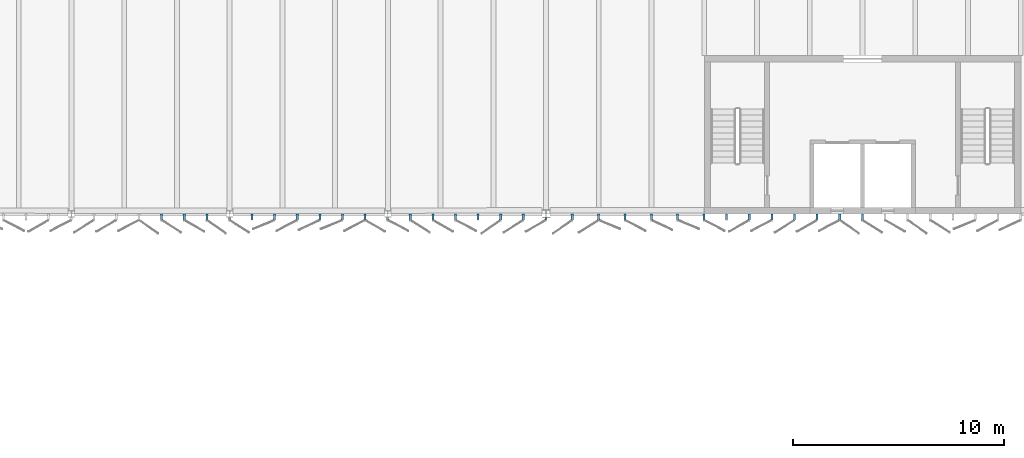
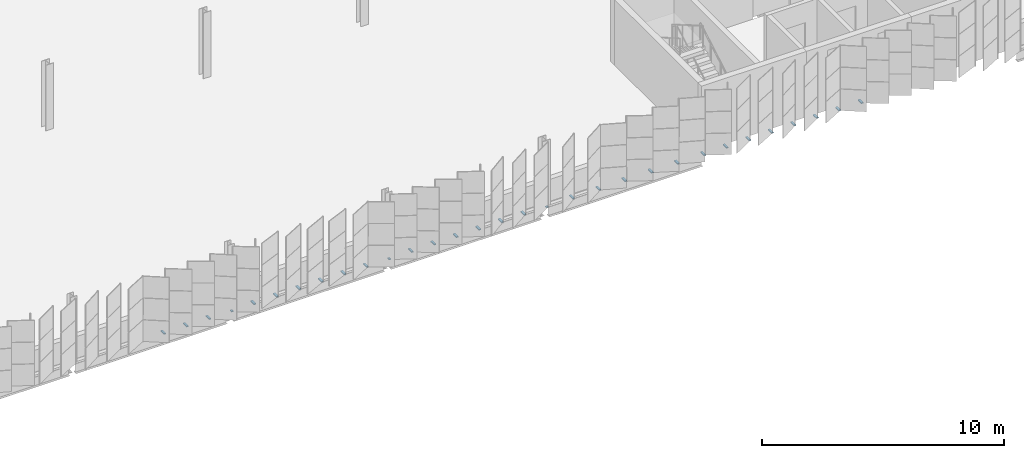
# One storey, part 167 of 199: 31 discrete accessories.
"""IFC4 building model written with IfcOpenShell, lengths in metres."""

from ifc_helpers import new_model, si_unit, direction, frame, origin, origin_2d, place, context, subcontext, project, spatial, rectangle, extrude, material, type_object, element, save


model = new_model("IFC4")

# Units and contexts
model_context = context("Model", 3, precision=1e-05, world=origin(), true_north=direction((0.0, 1.0)))
body_context = subcontext(model_context, "Body", "Model", "MODEL_VIEW")
ifc_project = project(units=[si_unit("LENGTHUNIT", "METRE"), si_unit("AREAUNIT", "SQUARE_METRE"), si_unit("VOLUMEUNIT", "CUBIC_METRE"), si_unit("PLANEANGLEUNIT", "RADIAN"), si_unit("MASSUNIT", "GRAM", prefix="KILO")], contexts=[model_context])

# Site, building, storey
site_placement = place(None, origin())
site = spatial("IfcSite", under=ifc_project, at=site_placement, CompositionType="ELEMENT")
building_placement = place(site_placement, origin())
building = spatial("IfcBuilding", under=site, at=building_placement, Name="Parallax Yard Mobility Hub", CompositionType="ELEMENT")
storey_placement = place(building_placement, frame((0.0, 0.0, 9.89990234375)))
storey = spatial("IfcBuildingStorey", under=building, at=storey_placement, Name="L03", CompositionType="ELEMENT", Elevation=9.89990234375)

# Discrete accessories
ifc_material = material(Name="Steel ASTM A36, hot-dip galvanised", Category="steel")
discrete_accessory_type = type_object("IfcDiscreteAccessoryType", Name="Hinge bracket plate 100x50", PredefinedType="BRACKET", material=ifc_material)
for number, where, z_axis, x_axis, name in (
    (1, (101.77587890625, 112.3583984375, -0.02490234375), (0.0, 0.0, 1.0), (0.0, -1.0, 0.0), "Hinge bracket plate bay 9.5 level L03"),
    (2, (102.847412109375, 112.3583984375, -0.02490234375), (0.0, 0.0, 1.0), (0.0, -1.0, 0.0), "Hinge bracket plate bay 9.6 level L03"),
    (3, (103.9189453125, 112.3583984375, -0.02490234375), (0.0, 0.0, 1.0), (0.0, -1.0, 0.0), "Hinge bracket plate bay 9.7 level L03"),
):
    element("IfcDiscreteAccessory", number, at=place(storey_placement, frame(where, z_axis=z_axis, x_axis=x_axis)), inside=storey, type_object=discrete_accessory_type, Name=name, PredefinedType="BRACKET", context=body_context, shape_type="SweptSolid", body=[
        extrude(rectangle(XDim=0.2841796875, YDim=0.10009765625, at=origin_2d()), origin(), (0.0, 0.0, 1.0), 0.050048828125),
    ])
discrete_accessory_1_placement = place(storey_placement, frame((104.990478515625, 112.28173828125, -0.02490234375), z_axis=(0.0, 0.0, 1.0), x_axis=(0.0, -1.0, 0.0)))
element("IfcDiscreteAccessory", 4, at=discrete_accessory_1_placement, inside=storey, type_object=discrete_accessory_type, Name="Hinge bracket plate bay 10.1 level L03", PredefinedType="BRACKET", context=body_context, shape_type="SweptSolid", body=[
    extrude(rectangle(XDim=0.130615234375, YDim=0.10009765625, at=origin_2d()), origin(), (0.0, 0.0, 1.0), 0.050048828125),
])
for number, where, z_axis, x_axis, name in (
    (5, (106.06201171875, 112.3583984375, -0.02490234375), (0.0, 0.0, 1.0), (0.0, -1.0, 0.0), "Hinge bracket plate bay 10.2 level L03"),
    (6, (107.13330078125, 112.3583984375, -0.02490234375), (0.0, 0.0, 1.0), (0.0, -1.0, 0.0), "Hinge bracket plate bay 10.3 level L03"),
    (7, (108.204833984375, 112.3583984375, -0.02490234375), (0.0, 0.0, 1.0), (0.0, -1.0, 0.0), "Hinge bracket plate bay 10.4 level L03"),
    (8, (109.2763671875, 112.3583984375, -0.02490234375), (0.0, 0.0, 1.0), (0.0, -1.0, 0.0), "Hinge bracket plate bay 10.5 level L03"),
    (9, (110.347900390625, 112.3583984375, -0.02490234375), (0.0, 0.0, 1.0), (0.0, -1.0, 0.0), "Hinge bracket plate bay 10.6 level L03"),
    (10, (111.41943359375, 112.3583984375, -0.02490234375), (0.0, 0.0, 1.0), (0.0, -1.0, 0.0), "Hinge bracket plate bay 10.7 level L03"),
):
    element("IfcDiscreteAccessory", number, at=place(storey_placement, frame(where, z_axis=z_axis, x_axis=x_axis)), inside=storey, type_object=discrete_accessory_type, Name=name, PredefinedType="BRACKET", context=body_context, shape_type="SweptSolid", body=[
        extrude(rectangle(XDim=0.2841796875, YDim=0.10009765625, at=origin_2d()), origin(), (0.0, 0.0, 1.0), 0.050048828125),
    ])
discrete_accessory_2_placement = place(storey_placement, frame((112.490966796875, 112.28173828125, -0.02490234375), z_axis=(0.0, 0.0, 1.0), x_axis=(0.0, -1.0, 0.0)))
element("IfcDiscreteAccessory", 11, at=discrete_accessory_2_placement, inside=storey, type_object=discrete_accessory_type, Name="Hinge bracket plate bay 11.1 level L03", PredefinedType="BRACKET", context=body_context, shape_type="SweptSolid", body=[
    extrude(rectangle(XDim=0.130615234375, YDim=0.10009765625, at=origin_2d()), origin(), (0.0, 0.0, 1.0), 0.050048828125),
])
for number, where, z_axis, x_axis, name in (
    (12, (113.5625, 112.3583984375, -0.02490234375), (0.0, 0.0, 1.0), (0.0, -1.0, 0.0), "Hinge bracket plate bay 11.2 level L03"),
    (13, (114.634033203125, 112.3583984375, -0.02490234375), (0.0, 0.0, 1.0), (0.0, -1.0, 0.0), "Hinge bracket plate bay 11.3 level L03"),
    (14, (115.70556640625, 112.3583984375, -0.02490234375), (0.0, 0.0, 1.0), (0.0, -1.0, 0.0), "Hinge bracket plate bay 11.4 level L03"),
    (15, (116.777099609375, 112.3583984375, -0.02490234375), (0.0, 0.0, 1.0), (0.0, -1.0, 0.0), "Hinge bracket plate bay 11.5 level L03"),
    (16, (117.848388671875, 112.3583984375, -0.02490234375), (0.0, 0.0, 1.0), (0.0, -1.0, 0.0), "Hinge bracket plate bay 11.6 level L03"),
    (17, (118.919921875, 112.3583984375, -0.02490234375), (0.0, 0.0, 1.0), (0.0, -1.0, 0.0), "Hinge bracket plate bay 11.7 level L03"),
):
    element("IfcDiscreteAccessory", number, at=place(storey_placement, frame(where, z_axis=z_axis, x_axis=x_axis)), inside=storey, type_object=discrete_accessory_type, Name=name, PredefinedType="BRACKET", context=body_context, shape_type="SweptSolid", body=[
        extrude(rectangle(XDim=0.2841796875, YDim=0.10009765625, at=origin_2d()), origin(), (0.0, 0.0, 1.0), 0.050048828125),
    ])
discrete_accessory_3_placement = place(storey_placement, frame((119.991455078125, 112.266357421875, -0.02490234375), z_axis=(0.0, 0.0, 1.0), x_axis=(0.0, -1.0, 0.0)))
element("IfcDiscreteAccessory", 18, at=discrete_accessory_3_placement, inside=storey, type_object=discrete_accessory_type, Name="Hinge bracket plate bay 12.1 level L03", PredefinedType="BRACKET", context=body_context, shape_type="SweptSolid", body=[
    extrude(rectangle(XDim=0.10009765625, YDim=0.10009765625, at=origin_2d()), origin(), (0.0, 0.0, 1.0), 0.050048828125),
])
for number, where, z_axis, x_axis, name in (
    (19, (121.24072265625, 112.3583984375, -0.02490234375), (0.0, 0.0, 1.0), (0.0, -1.0, 0.0), "Hinge bracket plate bay 12.2 level L03"),
    (20, (122.489990234375, 112.3583984375, -0.02490234375), (0.0, 0.0, 1.0), (0.0, -1.0, 0.0), "Hinge bracket plate bay 12.3 level L03"),
    (21, (123.7392578125, 112.3583984375, -0.02490234375), (0.0, 0.0, 1.0), (0.0, -1.0, 0.0), "Hinge bracket plate bay 12.4 level L03"),
    (22, (124.988525390625, 112.3583984375, -0.02490234375), (0.0, 0.0, 1.0), (0.0, -1.0, 0.0), "Hinge bracket plate bay 12.5 level L03"),
    (23, (126.23779296875, 112.3583984375, -0.02490234375), (0.0, 0.0, 1.0), (0.0, -1.0, 0.0), "Hinge bracket plate bay 12.6 level L03"),
    (24, (127.487060546875, 112.3583984375, -0.02490234375), (0.0, 0.0, 1.0), (0.0, -1.0, 0.0), "Hinge bracket plate bay 13.1 level L03"),
    (25, (128.55908203125, 112.3583984375, -0.02490234375), (0.0, 0.0, 1.0), (0.0, -1.0, 0.0), "Hinge bracket plate bay 13.2 level L03"),
    (26, (129.63134765625, 112.3583984375, -0.02490234375), (0.0, 0.0, 1.0), (0.0, -1.0, 0.0), "Hinge bracket plate bay 13.3 level L03"),
    (27, (130.70361328125, 112.3583984375, -0.02490234375), (0.0, 0.0, 1.0), (0.0, -1.0, 0.0), "Hinge bracket plate bay 13.4 level L03"),
    (28, (131.77587890625, 112.3583984375, -0.02490234375), (0.0, 0.0, 1.0), (0.0, -1.0, 0.0), "Hinge bracket plate bay 13.5 level L03"),
    (29, (132.84814453125, 112.3583984375, -0.02490234375), (0.0, 0.0, 1.0), (0.0, -1.0, 0.0), "Hinge bracket plate bay 13.6 level L03"),
    (30, (133.92041015625, 112.3583984375, -0.02490234375), (0.0, 0.0, 1.0), (0.0, -1.0, 0.0), "Hinge bracket plate bay 13.7 level L03"),
    (31, (134.992431640625, 112.3583984375, -0.02490234375), (0.0, 0.0, 1.0), (0.0, -1.0, 0.0), "Hinge bracket plate bay 13.8 level L03"),
):
    element("IfcDiscreteAccessory", number, at=place(storey_placement, frame(where, z_axis=z_axis, x_axis=x_axis)), inside=storey, type_object=discrete_accessory_type, Name=name, PredefinedType="BRACKET", context=body_context, shape_type="SweptSolid", body=[
        extrude(rectangle(XDim=0.2841796875, YDim=0.10009765625, at=origin_2d()), origin(), (0.0, 0.0, 1.0), 0.050048828125),
    ])

save(model, "model.ifc")
